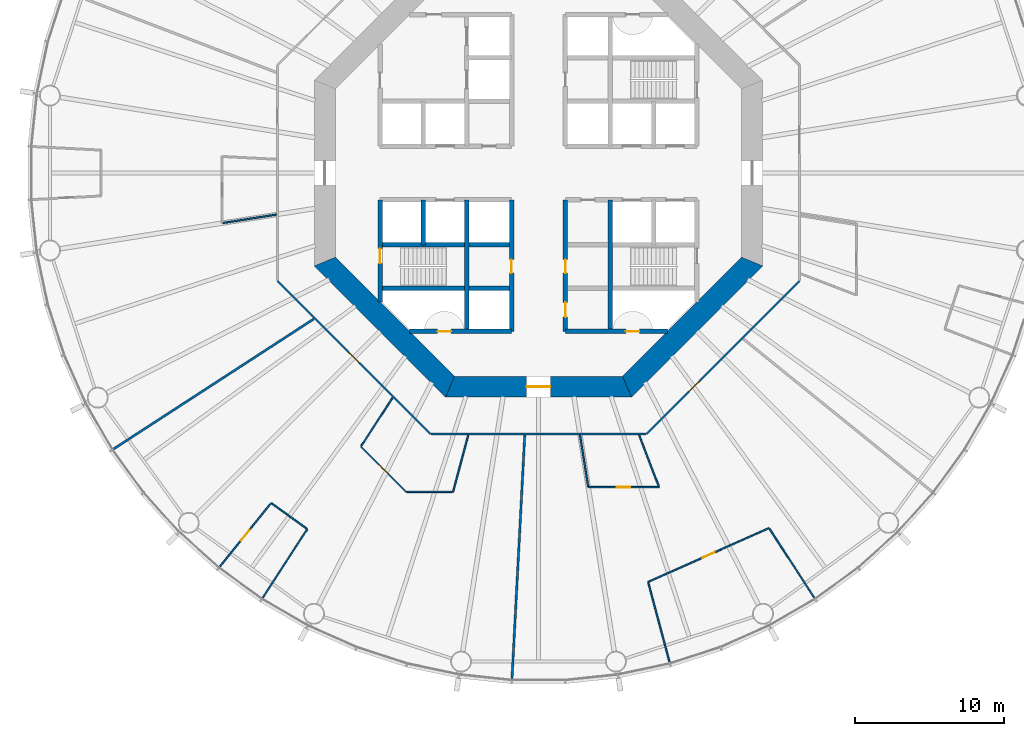
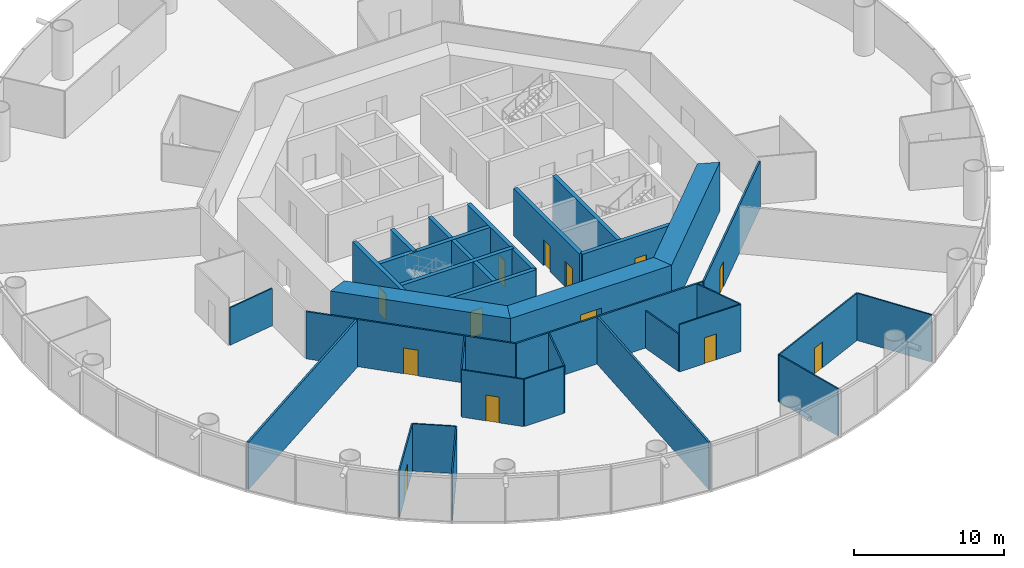
# One storey, part 3 of 13: 32 walls, 13 doors, 13 openings.
"""IFC4 building model written with IfcOpenShell, lengths in metres."""

import ifcopenshell
import ifcopenshell.guid

model = None  # the IFC model being written
_history = None  # IfcOwnerHistory: only IFC2X3 demands one
_inside = {}  # id of a spatial element -> (the spatial element, [elements in it])
_under = {}  # id of a project, library or spatial element -> (it, [spatial elements below it])
_declared = {}  # id of a project -> (the project, [libraries it declares])
_typed = {}  # id of a type object -> (the type object, [elements of that type])
_made_of = {}  # id of a material, layer set ... -> (it, [elements and type objects made of it])


def new_model(schema):
    """Start an empty IFC model of exactly this schema.

    Asked for "IFC4X3", IfcOpenShell would pick the latest addendum, in which some entities
    have other attributes; the version numbers below select the first issue.
    IFC2X3 requires an IfcOwnerHistory on every rooted entity: one is made here for all.
    """
    global model, _history
    if schema == "IFC4X3":
        model = ifcopenshell.file(schema_version=(4, 3, 0, 0))
    else:
        model = ifcopenshell.file(schema=schema)
    _inside.clear()
    _under.clear()
    _declared.clear()
    _typed.clear()
    _made_of.clear()
    _history = None
    if model.schema == "IFC2X3":
        org = make("IfcOrganization", Name="unknown")
        user = make(
            "IfcPersonAndOrganization",
            ThePerson=make("IfcPerson", FamilyName="unknown"),
            TheOrganization=org,
        )
        app = make(
            "IfcApplication",
            ApplicationDeveloper=org,
            Version="unknown",
            ApplicationFullName="unknown",
            ApplicationIdentifier="unknown",
        )
        _history = make(
            "IfcOwnerHistory",
            OwningUser=user,
            OwningApplication=app,
            ChangeAction="ADDED",
            CreationDate=0,
        )
    return model


def make(cls, **values):
    """One entity of the class cls with the attributes given. An attribute that is None is left unset."""
    return model.create_entity(
        cls, **{name: value for name, value in values.items() if value is not None}
    )


def rooted(cls, **values):
    """An entity with a GlobalId (a new one), such as an element, a storey or a relation."""
    return make(cls, GlobalId=ifcopenshell.guid.new(), OwnerHistory=_history, **values)


def si_unit(unit_type, name, prefix=None):
    """IfcSIUnit, for example si_unit("LENGTHUNIT", "METRE", prefix="MILLI")."""
    return make("IfcSIUnit", UnitType=unit_type, Prefix=prefix, Name=name)


def assignment(units):
    """IfcUnitAssignment: the units of a project."""
    return None if units is None else make("IfcUnitAssignment", Units=units)


def point(xyz):
    """IfcCartesianPoint."""
    return None if xyz is None else make("IfcCartesianPoint", Coordinates=xyz)


def direction(xyz):
    """IfcDirection."""
    return None if xyz is None else make("IfcDirection", DirectionRatios=xyz)


def frame(location, z_axis=None, x_axis=None):
    """IfcAxis2Placement3D, a coordinate frame: its origin and axes. An axis left out is left unset."""
    return make(
        "IfcAxis2Placement3D",
        Location=point(location),
        Axis=direction(z_axis),
        RefDirection=direction(x_axis),
    )


def frame_2d(location, x_axis=None):
    """IfcAxis2Placement2D, a coordinate frame in the plane: its origin and x axis."""
    return make(
        "IfcAxis2Placement2D", Location=point(location), RefDirection=direction(x_axis)
    )


def origin():
    """The frame at (0, 0, 0) with its axes left unset."""
    return frame((0.0, 0.0, 0.0))


def place(relative_to, where):
    """IfcLocalPlacement: puts the frame where relative to a parent placement (None: the world)."""
    return make(
        "IfcLocalPlacement", PlacementRelTo=relative_to, RelativePlacement=where
    )


def context(
    kind, dimensions, precision=None, world=None, true_north=None, identifier=None
):
    """IfcGeometricRepresentationContext, for example the 3D "Model" context."""
    return make(
        "IfcGeometricRepresentationContext",
        ContextIdentifier=identifier,
        ContextType=kind,
        CoordinateSpaceDimension=dimensions,
        Precision=precision,
        WorldCoordinateSystem=world,
        TrueNorth=true_north,
    )


def subcontext(parent, identifier, kind, view, scale=None):
    """IfcGeometricRepresentationSubContext, for example "Body" below "Model"."""
    return make(
        "IfcGeometricRepresentationSubContext",
        ContextIdentifier=identifier,
        ContextType=kind,
        ParentContext=parent,
        TargetScale=scale,
        TargetView=view,
    )


def project(units=None, contexts=None):
    """IfcProject with its units and contexts."""
    return rooted(
        "IfcProject",
        Name="project",
        RepresentationContexts=contexts,
        UnitsInContext=assignment(units),
    )


def spatial(cls, under=None, at=None, **own):
    """A site, building, storey or space (cls), placed at a placement, below another one or the project."""
    s = rooted(cls, ObjectPlacement=at, **own)
    if under is not None:
        _under.setdefault(under.id(), (under, []))[1].append(s)
    return s


def polyline(points):
    """IfcPolyline through the points."""
    return make("IfcPolyline", Points=[point(p) for p in points])


def profile(cls, at=None, kind="AREA", **sizes):
    """A parametric profile (cls). Its sizes go by their IFC names, for example OverallWidth=200.0."""
    return make(cls, ProfileType=kind, Position=at, **sizes)


def rectangle(**sizes):
    """IfcRectangleProfileDef."""
    return profile("IfcRectangleProfileDef", **sizes)


def outline(outer, holes=None, kind="AREA"):
    """IfcArbitraryClosedProfileDef: a profile drawn as a closed curve; with holes, ...WithVoids."""
    if holes is None:
        return make("IfcArbitraryClosedProfileDef", ProfileType=kind, OuterCurve=outer)
    return make(
        "IfcArbitraryProfileDefWithVoids",
        ProfileType=kind,
        OuterCurve=outer,
        InnerCurves=holes,
    )


def extrude(swept, where, along, depth):
    """IfcExtrudedAreaSolid: the profile swept, set in the frame where, extruded along a direction by depth."""
    return make(
        "IfcExtrudedAreaSolid",
        SweptArea=swept,
        Position=where,
        ExtrudedDirection=direction(along),
        Depth=depth,
    )


def shape(context_of_items, identifier, shape_type, items):
    """IfcShapeRepresentation: the items that make up one representation, for example the "Body"."""
    return make(
        "IfcShapeRepresentation",
        ContextOfItems=context_of_items,
        RepresentationIdentifier=identifier,
        RepresentationType=shape_type,
        Items=items,
    )


def material(Name=None, Category=None):
    """IfcMaterial."""
    return make("IfcMaterial", Name=Name, Category=Category)


def layer(
    of_material, thickness, ventilated=None, Name=None, Category=None, Priority=None
):
    """IfcMaterialLayer: one layer of a wall or slab, of a material (None: an air gap)."""
    return make(
        "IfcMaterialLayer",
        Material=of_material,
        LayerThickness=thickness,
        IsVentilated=ventilated,
        Name=Name,
        Category=Category,
        Priority=Priority,
    )


def layer_set(layers, Name=None):
    """IfcMaterialLayerSet."""
    return make("IfcMaterialLayerSet", MaterialLayers=layers, LayerSetName=Name)


def made_of(thing, what):
    """Note that an element or type object is made of a material, layer set ...; save() writes the relation."""
    if what is not None:
        _made_of.setdefault(what.id(), (what, []))[1].append(thing)
    return thing


def type_object(cls, material=None, **own):
    """A type object (cls), such as IfcWallType, which elements share."""
    return made_of(rooted(cls, **own), material)


def element(
    cls,
    number,
    at=None,
    inside=None,
    cuts=None,
    type_object=None,
    material=None,
    context=None,
    identifier="Body",
    shape_type=None,
    held_by="IfcProductDefinitionShape",
    body=None,
    shapes=None,
    **own,
):
    """One element of the class cls, such as IfcWall. Its Tag is "e" and its number.

    at: its placement. inside: the storey or other place that contains it. cuts: it is an
    opening in that element (IfcRelVoidsElement). A single representation is given by context,
    identifier, shape_type and body (its items); several are given by shapes. held_by: the class
    of the entity that holds the representations. save() writes the other relations.
    """
    e = rooted(cls, Tag="e%d" % number, ObjectPlacement=at, **own)
    if body is not None:
        shapes = [shape(context, identifier, shape_type, body)]
    if shapes is not None:
        e.Representation = make(held_by, Representations=shapes)
    if inside is not None:
        _inside.setdefault(inside.id(), (inside, []))[1].append(e)
    if cuts is not None:
        rooted(
            "IfcRelVoidsElement", RelatingBuildingElement=cuts, RelatedOpeningElement=e
        )
    if type_object is not None:
        _typed.setdefault(type_object.id(), (type_object, []))[1].append(e)
    return made_of(e, material)


def fill(opening, filler):
    """IfcRelFillsElement: the door or window that sits in an opening."""
    return rooted(
        "IfcRelFillsElement",
        RelatingOpeningElement=opening,
        RelatedBuildingElement=filler,
    )


def aggregate(whole, parts):
    """IfcRelAggregates: a whole, such as a stair, and the parts it consists of."""
    return rooted("IfcRelAggregates", RelatingObject=whole, RelatedObjects=parts)


def save(model, path):
    """Write the relations noted so far, then the file.

    IfcRelAggregates (storeys below a building ...), IfcRelContainedInSpatialStructure (elements
    in a storey), IfcRelDefinesByType, IfcRelAssociatesMaterial and IfcRelDeclares: one each for
    every whole, place, type object, material and project.
    """
    for whole, parts in _under.values():
        aggregate(whole, parts)
    for where, things in _inside.values():
        rooted(
            "IfcRelContainedInSpatialStructure",
            RelatedElements=things,
            RelatingStructure=where,
        )
    for kind, things in _typed.values():
        rooted("IfcRelDefinesByType", RelatedObjects=things, RelatingType=kind)
    for what, things in _made_of.values():
        rooted("IfcRelAssociatesMaterial", RelatedObjects=things, RelatingMaterial=what)
    for by, libraries in _declared.values():
        rooted("IfcRelDeclares", RelatingContext=by, RelatedDefinitions=libraries)
    model.write(path)


model = new_model("IFC4")

# Units and contexts
model_context = context("Model", 3, precision=1e-05, world=origin(), true_north=direction((0.0, 1.0)))
body_context = subcontext(model_context, "Body", "Model", "MODEL_VIEW")
ifc_project = project(units=[si_unit("LENGTHUNIT", "METRE"), si_unit("AREAUNIT", "SQUARE_METRE"), si_unit("VOLUMEUNIT", "CUBIC_METRE"), si_unit("PLANEANGLEUNIT", "RADIAN"), si_unit("MASSUNIT", "GRAM", prefix="KILO")], contexts=[model_context])

# Site, building, storey
site_placement = place(None, origin())
site = spatial("IfcSite", under=ifc_project, at=site_placement, CompositionType="ELEMENT")
building_placement = place(site_placement, origin())
building = spatial("IfcBuilding", under=site, at=building_placement, Name="Entoto Ring Tower", CompositionType="ELEMENT")
storey_placement = place(building_placement, frame((0.0, 0.0, 34.0)))
storey = spatial("IfcBuildingStorey", under=building, at=storey_placement, Name="L06", CompositionType="ELEMENT", Elevation=34.0)

# Wall
ifc_material_1 = material(Name="Concrete C40/50", Category="concrete")
ifc_layer_1 = layer(ifc_material_1, 0.300048828125)
ifc_layer_set_1 = layer_set([ifc_layer_1], Name="Concrete C40/50")
wall_type_1 = type_object("IfcWallType", Name="Core enclosure wall 300 mm reinforced concrete", PredefinedType="SOLIDWALL", material=ifc_layer_set_1)
wall_1_placement = place(storey_placement, frame((94.800048828125, 69.39990234375, 0.0), z_axis=(0.0, 0.0, 1.0), x_axis=(0.0, 1.0, 0.0)))
element("IfcWall", 1, at=wall_1_placement, inside=storey, type_object=wall_type_1, Name="wall-L06-005", PredefinedType="SOLIDWALL", context=body_context, shape_type="SweptSolid", body=[
    extrude(rectangle(XDim=8.800048828125, YDim=0.300048828125, at=frame_2d((4.39990234375, 0.0))), origin(), (0.0, 0.0, 1.0), 3.85009765625),
])

# Wall, openings, doors
wall_2_placement = place(storey_placement, frame((91.800048828125, 69.39990234375, 0.0), z_axis=(0.0, 0.0, 1.0), x_axis=(0.0, 1.0, 0.0)))
wall_2 = element("IfcWall", 2, at=wall_2_placement, inside=storey, type_object=wall_type_1, Name="wall-L06-007", PredefinedType="SOLIDWALL", context=body_context, shape_type="SweptSolid", body=[
    extrude(rectangle(XDim=8.800048828125, YDim=0.300048828125, at=frame_2d((4.39990234375, 0.0))), origin(), (0.0, 0.0, 1.0), 3.85009765625),
])
opening_1_placement = place(wall_2_placement, frame((3.89990234375, 0.0, 0.0)))
opening_1 = element("IfcOpeningElement", 3, at=opening_1_placement, cuts=wall_2, Name="Opening K-12", PredefinedType="OPENING", context=body_context, shape_type="SweptSolid", body=[
    extrude(rectangle(XDim=0.89990234375, YDim=2.10009765625, at=frame_2d((0.449951171875, 1.050048828125))), frame((0.0, 0.16015625, 0.0), z_axis=(0.0, -1.0, 0.0), x_axis=(1.0, 0.0, 0.0)), (0.0, 0.0, 1.0), 0.320068359375),
])
opening_2_placement = place(wall_2_placement, frame((0.949951171875, 0.0, 0.0)))
opening_2 = element("IfcOpeningElement", 4, at=opening_2_placement, cuts=wall_2, Name="Opening K-13", PredefinedType="OPENING", context=body_context, shape_type="SweptSolid", body=[
    extrude(rectangle(XDim=1.0, YDim=2.10009765625, at=frame_2d((0.5, 1.050048828125))), frame((0.0, 0.16015625, 0.0), z_axis=(0.0, -1.0, 0.0), x_axis=(1.0, 0.0, 0.0)), (0.0, 0.0, 1.0), 0.320068359375),
])
ifc_material_2 = material(Name="Steel door leaf, fire rated", Category="steel")
ifc_layer_2 = layer(ifc_material_2, 0.050048828125)
ifc_layer_set_2 = layer_set([ifc_layer_2], Name="Steel door leaf, fire rated")
door_type_1 = type_object("IfcDoorType", Name="Accessible door 1000 x 2100 single leaf", OperationType="NOTDEFINED", PredefinedType="DOOR", material=ifc_layer_set_2)
door_1_placement = place(opening_2_placement, frame((1.0, 0.0, 0.0), z_axis=(0.0, 0.0, 1.0), x_axis=(-1.0, 0.0, 0.0)))
door_1 = element("IfcDoor", 5, at=door_1_placement, inside=storey, type_object=door_type_1, Name="Door K-13", OperationType="SINGLE_SWING_LEFT", OverallHeight=2.10009765625, OverallWidth=1.0, PredefinedType="DOOR", context=body_context, shape_type="SweptSolid", body=[
    extrude(rectangle(XDim=1.0, YDim=2.10009765625, at=frame_2d((0.5, 1.050048828125))), frame((0.0, 0.02490234375, 0.0), z_axis=(0.0, -1.0, 0.0), x_axis=(1.0, 0.0, 0.0)), (0.0, 0.0, 1.0), 0.050048828125),
])
fill(opening_2, door_1)
ifc_material_3 = material(Name="Steel door leaf, fire rated", Category="steel")
ifc_layer_3 = layer(ifc_material_3, 0.050048828125)
ifc_layer_set_3 = layer_set([ifc_layer_3], Name="Steel door leaf, fire rated")
door_type_2 = type_object("IfcDoorType", Name="Core door 900 x 2100 single leaf", OperationType="NOTDEFINED", PredefinedType="DOOR", material=ifc_layer_set_3)
door_2_placement = place(opening_1_placement, frame((0.89990234375, 0.0, 0.0), z_axis=(0.0, 0.0, 1.0), x_axis=(-1.0, 0.0, 0.0)))
door_2 = element("IfcDoor", 6, at=door_2_placement, inside=storey, type_object=door_type_2, Name="Door K-12", OperationType="SINGLE_SWING_LEFT", OverallHeight=2.10009765625, OverallWidth=0.89990234375, PredefinedType="DOOR", context=body_context, shape_type="SweptSolid", body=[
    extrude(rectangle(XDim=0.89990234375, YDim=2.10009765625, at=frame_2d((0.449951171875, 1.050048828125))), frame((0.0, 0.02490234375, 0.0), z_axis=(0.0, -1.0, 0.0), x_axis=(1.0, 0.0, 0.0)), (0.0, 0.0, 1.0), 0.050048828125),
])
fill(opening_1, door_2)

# Wall, opening, door
wall_3_placement = place(storey_placement, frame((88.199951171875, 69.39990234375, 0.0), z_axis=(0.0, 0.0, 1.0), x_axis=(0.0, 1.0, 0.0)))
wall_3 = element("IfcWall", 7, at=wall_3_placement, inside=storey, type_object=wall_type_1, Name="wall-L06-009", PredefinedType="SOLIDWALL", context=body_context, shape_type="SweptSolid", body=[
    extrude(rectangle(XDim=8.800048828125, YDim=0.300048828125, at=frame_2d((4.39990234375, 0.0))), origin(), (0.0, 0.0, 1.0), 3.85009765625),
])
opening_3_placement = place(wall_3_placement, frame((3.89990234375, 0.0, 0.0)))
opening_3 = element("IfcOpeningElement", 8, at=opening_3_placement, cuts=wall_3, Name="Opening K-14", PredefinedType="OPENING", context=body_context, shape_type="SweptSolid", body=[
    extrude(rectangle(XDim=0.89990234375, YDim=2.10009765625, at=frame_2d((0.449951171875, 1.050048828125))), frame((0.0, 0.16015625, 0.0), z_axis=(0.0, -1.0, 0.0), x_axis=(1.0, 0.0, 0.0)), (0.0, 0.0, 1.0), 0.320068359375),
])
door_3_placement = place(opening_3_placement, origin())
door_3 = element("IfcDoor", 9, at=door_3_placement, inside=storey, type_object=door_type_2, Name="Door K-14", OperationType="SINGLE_SWING_RIGHT", OverallHeight=2.10009765625, OverallWidth=0.89990234375, PredefinedType="DOOR", context=body_context, shape_type="SweptSolid", body=[
    extrude(rectangle(XDim=0.89990234375, YDim=2.10009765625, at=frame_2d((0.449951171875, 1.050048828125))), frame((0.0, 0.02490234375, 0.0), z_axis=(0.0, -1.0, 0.0), x_axis=(1.0, 0.0, 0.0)), (0.0, 0.0, 1.0), 0.050048828125),
])
fill(opening_3, door_3)

# Walls
wall_4_placement = place(storey_placement, frame((85.199951171875, 69.39990234375, 0.0), z_axis=(0.0, 0.0, 1.0), x_axis=(0.0, 1.0, 0.0)))
element("IfcWall", 10, at=wall_4_placement, inside=storey, type_object=wall_type_1, Name="wall-L06-011", PredefinedType="SOLIDWALL", context=body_context, shape_type="SweptSolid", body=[
    extrude(rectangle(XDim=8.800048828125, YDim=0.300048828125, at=frame_2d((4.39990234375, 0.0))), origin(), (0.0, 0.0, 1.0), 3.85009765625),
])
wall_5_placement = place(storey_placement, frame((82.300048828125, 75.199951171875, 0.0), z_axis=(0.0, 0.0, 1.0), x_axis=(0.0, 1.0, 0.0)))
element("IfcWall", 11, at=wall_5_placement, inside=storey, type_object=wall_type_1, Name="wall-L06-013", PredefinedType="SOLIDWALL", context=body_context, shape_type="SweptSolid", body=[
    extrude(rectangle(XDim=3.0, YDim=0.300048828125, at=frame_2d((1.5, 0.0))), origin(), (0.0, 0.0, 1.0), 3.85009765625),
])

# Wall, opening, door
wall_6_placement = place(storey_placement, frame((79.39990234375, 71.36669921875, 0.0), z_axis=(0.0, 0.0, 1.0), x_axis=(0.0, 1.0, 0.0)))
wall_6 = element("IfcWall", 12, at=wall_6_placement, inside=storey, type_object=wall_type_1, Name="wall-L06-015", PredefinedType="SOLIDWALL", context=body_context, shape_type="SweptSolid", body=[
    extrude(rectangle(XDim=6.833251953125, YDim=0.300048828125, at=frame_2d((3.41650390625, 0.0))), origin(), (0.0, 0.0, 1.0), 3.85009765625),
])
opening_4_placement = place(wall_6_placement, frame((2.583251953125, 0.0, 0.0)))
opening_4 = element("IfcOpeningElement", 13, at=opening_4_placement, cuts=wall_6, Name="Opening K-59", PredefinedType="OPENING", context=body_context, shape_type="SweptSolid", body=[
    extrude(rectangle(XDim=1.0, YDim=2.10009765625, at=frame_2d((0.5, 1.050048828125))), frame((0.0, 0.16015625, 0.0), z_axis=(0.0, -1.0, 0.0), x_axis=(1.0, 0.0, 0.0)), (0.0, 0.0, 1.0), 0.320068359375),
])
ifc_material_4 = material(Name="Steel door leaf, fire rated", Category="steel")
ifc_layer_4 = layer(ifc_material_4, 0.050048828125)
ifc_layer_set_4 = layer_set([ifc_layer_4], Name="Steel door leaf, fire rated")
door_type_3 = type_object("IfcDoorType", Name="Fire door FD60 1000 x 2100 single leaf", OperationType="NOTDEFINED", PredefinedType="DOOR", material=ifc_layer_set_4)
door_4_placement = place(opening_4_placement, frame((1.0, 0.0, 0.0), z_axis=(0.0, 0.0, 1.0), x_axis=(-1.0, 0.0, 0.0)))
door_4 = element("IfcDoor", 14, at=door_4_placement, inside=storey, type_object=door_type_3, Name="Door K-59", OperationType="SINGLE_SWING_LEFT", OverallHeight=2.10009765625, OverallWidth=1.0, PredefinedType="DOOR", context=body_context, shape_type="SweptSolid", body=[
    extrude(rectangle(XDim=1.0, YDim=2.10009765625, at=frame_2d((0.5, 1.050048828125))), frame((0.0, 0.02490234375, 0.0), z_axis=(0.0, -1.0, 0.0), x_axis=(1.0, 0.0, 0.0)), (0.0, 0.0, 1.0), 0.050048828125),
])
fill(opening_4, door_4)

wall_7_placement = place(storey_placement, frame((81.36669921875, 69.39990234375, 0.0), z_axis=(0.0, 0.0, 1.0), x_axis=(1.0, 0.0, 0.0)))
wall_7 = element("IfcWall", 15, at=wall_7_placement, inside=storey, type_object=wall_type_1, Name="wall-L06-017", PredefinedType="SOLIDWALL", context=body_context, shape_type="SweptSolid", body=[
    extrude(rectangle(XDim=6.833251953125, YDim=0.300048828125, at=frame_2d((3.41650390625, 0.0))), origin(), (0.0, 0.0, 1.0), 3.85009765625),
])
opening_5_placement = place(wall_7_placement, frame((1.88330078125, 0.0, 0.0)))
opening_5 = element("IfcOpeningElement", 16, at=opening_5_placement, cuts=wall_7, Name="Opening K-66", PredefinedType="OPENING", context=body_context, shape_type="SweptSolid", body=[
    extrude(rectangle(XDim=0.89990234375, YDim=2.10009765625, at=frame_2d((0.449951171875, 1.050048828125))), frame((0.0, 0.16015625, 0.0), z_axis=(0.0, -1.0, 0.0), x_axis=(1.0, 0.0, 0.0)), (0.0, 0.0, 1.0), 0.320068359375),
])
ifc_material_5 = material(Name="Steel door leaf, fire rated", Category="steel")
ifc_layer_5 = layer(ifc_material_5, 0.050048828125)
ifc_layer_set_5 = layer_set([ifc_layer_5], Name="Steel door leaf, fire rated")
door_type_4 = type_object("IfcDoorType", Name="Riser door FD60 900 x 2100 single leaf", OperationType="NOTDEFINED", PredefinedType="DOOR", material=ifc_layer_set_5)
door_5_placement = place(opening_5_placement, origin())
door_5 = element("IfcDoor", 17, at=door_5_placement, inside=storey, type_object=door_type_4, Name="Door K-66", OperationType="SINGLE_SWING_RIGHT", OverallHeight=2.10009765625, OverallWidth=0.89990234375, PredefinedType="DOOR", context=body_context, shape_type="SweptSolid", body=[
    extrude(rectangle(XDim=0.89990234375, YDim=2.10009765625, at=frame_2d((0.449951171875, 1.050048828125))), frame((0.0, 0.02490234375, 0.0), z_axis=(0.0, -1.0, 0.0), x_axis=(1.0, 0.0, 0.0)), (0.0, 0.0, 1.0), 0.050048828125),
])
fill(opening_5, door_5)

wall_8_placement = place(storey_placement, frame((91.800048828125, 69.39990234375, 0.0), z_axis=(0.0, 0.0, 1.0), x_axis=(1.0, 0.0, 0.0)))
wall_8 = element("IfcWall", 18, at=wall_8_placement, inside=storey, type_object=wall_type_1, Name="wall-L06-018", PredefinedType="SOLIDWALL", context=body_context, shape_type="SweptSolid", body=[
    extrude(rectangle(XDim=6.833251953125, YDim=0.300048828125, at=frame_2d((3.41650390625, 0.0))), origin(), (0.0, 0.0, 1.0), 3.85009765625),
])
opening_6_placement = place(wall_8_placement, frame((4.050048828125, 0.0, 0.0)))
opening_6 = element("IfcOpeningElement", 19, at=opening_6_placement, cuts=wall_8, Name="Opening K-68", PredefinedType="OPENING", context=body_context, shape_type="SweptSolid", body=[
    extrude(rectangle(XDim=0.89990234375, YDim=2.10009765625, at=frame_2d((0.449951171875, 1.050048828125))), frame((0.0, 0.16015625, 0.0), z_axis=(0.0, -1.0, 0.0), x_axis=(1.0, 0.0, 0.0)), (0.0, 0.0, 1.0), 0.320068359375),
])
door_6_placement = place(opening_6_placement, origin())
door_6 = element("IfcDoor", 20, at=door_6_placement, inside=storey, type_object=door_type_4, Name="Door K-68", OperationType="SINGLE_SWING_LEFT", OverallHeight=2.10009765625, OverallWidth=0.89990234375, PredefinedType="DOOR", context=body_context, shape_type="SweptSolid", body=[
    extrude(rectangle(XDim=0.89990234375, YDim=2.10009765625, at=frame_2d((0.449951171875, 1.050048828125))), frame((0.0, 0.02490234375, 0.0), z_axis=(0.0, -1.0, 0.0), x_axis=(1.0, 0.0, 0.0)), (0.0, 0.0, 1.0), 0.050048828125),
])
fill(opening_6, door_6)

# Walls
for number, where, z_axis, x_axis, name in (
    (21, (79.39990234375, 72.300048828125, 0.0), (0.0, 0.0, 1.0), (1.0, 0.0, 0.0), "wall-L06-019"),
    (22, (79.39990234375, 75.199951171875, 0.0), (0.0, 0.0, 1.0), (1.0, 0.0, 0.0), "wall-L06-021"),
):
    element("IfcWall", number, at=place(storey_placement, frame(where, z_axis=z_axis, x_axis=x_axis)), inside=storey, type_object=wall_type_1, Name=name, PredefinedType="SOLIDWALL", context=body_context, shape_type="SweptSolid", body=[
        extrude(rectangle(XDim=8.800048828125, YDim=0.300048828125, at=frame_2d((4.39990234375, 0.0))), origin(), (0.0, 0.0, 1.0), 3.85009765625),
    ])
ifc_material_6 = material(Name="Concrete C60/75", Category="concrete")
ifc_layer_6 = layer(ifc_material_6, 1.39990234375)
ifc_layer_set_6 = layer_set([ifc_layer_6], Name="Concrete C60/75")
wall_type_2 = type_object("IfcWallType", Name="Core shear wall 1400 mm reinforced concrete C60/75", PredefinedType="SHEAR", material=ifc_layer_set_6)
wall_9_placement = place(storey_placement, frame((75.699951171875, 74.07666015625, 0.0), z_axis=(0.0, 0.0, 1.0), x_axis=(0.707106781187, -0.707106781187, 0.0)))
element("IfcWall", 23, at=wall_9_placement, inside=storey, type_object=wall_type_2, Name="wall-L06-core-5", PredefinedType="SHEAR", context=body_context, shape_type="SweptSolid", body=[
    extrude(outline(polyline([(-0.2900390625, -0.699951171875), (12.136474609375, -0.699951171875), (11.556396484375, 0.699951171875), (0.2900390625, 0.699951171875), (-0.2900390625, -0.699951171875)])), origin(), (0.0, 0.0, 1.0), 4.0),
])

# Wall, opening, door
wall_10_placement = place(storey_placement, frame((84.07666015625, 65.699951171875, 0.0), z_axis=(0.0, 0.0, 1.0), x_axis=(1.0, 0.0, 0.0)))
wall_10 = element("IfcWall", 24, at=wall_10_placement, inside=storey, type_object=wall_type_2, Name="wall-L06-core-6", PredefinedType="SHEAR", context=body_context, shape_type="SweptSolid", body=[
    extrude(outline(polyline([(-0.2900390625, -0.699951171875), (12.13671875, -0.699951171875), (11.556640625, 0.699951171875), (0.2900390625, 0.699951171875), (-0.2900390625, -0.699951171875)])), origin(), (0.0, 0.0, 1.0), 4.0),
])
opening_7_placement = place(wall_10_placement, frame((5.123291015625, 0.0, 0.0)))
opening_7 = element("IfcOpeningElement", 25, at=opening_7_placement, cuts=wall_10, Name="Opening K-04", PredefinedType="OPENING", context=body_context, shape_type="SweptSolid", body=[
    extrude(rectangle(XDim=1.60009765625, YDim=2.39990234375, at=frame_2d((0.800048828125, 1.199951171875))), frame((0.0, 0.7099609375, 0.0), z_axis=(0.0, -1.0, 0.0), x_axis=(1.0, 0.0, 0.0)), (0.0, 0.0, 1.0), 1.419921875),
])
ifc_material_7 = material(Name="Steel door leaf, fire rated", Category="steel")
ifc_layer_7 = layer(ifc_material_7, 0.050048828125)
ifc_layer_set_7 = layer_set([ifc_layer_7], Name="Steel door leaf, fire rated")
door_type_5 = type_object("IfcDoorType", Name="Entrance door FD60 1600 x 2400 double leaf", OperationType="DOUBLE_DOOR_SINGLE_SWING", PredefinedType="DOOR", material=ifc_layer_set_7)
door_7_placement = place(opening_7_placement, origin())
door_7 = element("IfcDoor", 26, at=door_7_placement, inside=storey, type_object=door_type_5, Name="Entrance door K-04", OperationType="DOUBLE_DOOR_SINGLE_SWING", OverallHeight=2.39990234375, OverallWidth=1.60009765625, PredefinedType="DOOR", context=body_context, shape_type="SweptSolid", body=[
    extrude(rectangle(XDim=1.60009765625, YDim=2.39990234375, at=frame_2d((0.800048828125, 1.199951171875))), frame((0.0, 0.02490234375, 0.0), z_axis=(0.0, -1.0, 0.0), x_axis=(1.0, 0.0, 0.0)), (0.0, 0.0, 1.0), 0.050048828125),
])
fill(opening_7, door_7)

# Wall
wall_11_placement = place(storey_placement, frame((95.92333984375, 65.699951171875, 0.0), z_axis=(0.0, 0.0, 1.0), x_axis=(0.707106781187, 0.707106781187, 0.0)))
element("IfcWall", 27, at=wall_11_placement, inside=storey, type_object=wall_type_2, Name="wall-L06-core-7", PredefinedType="SHEAR", context=body_context, shape_type="SweptSolid", body=[
    extrude(outline(polyline([(-0.2900390625, -0.699951171875), (12.136474609375, -0.699951171875), (11.556396484375, 0.699951171875), (0.2900390625, 0.699951171875), (-0.2900390625, -0.699951171875)])), origin(), (0.0, 0.0, 1.0), 4.0),
])

# Wall, opening, door
ifc_material_8 = material(Name="Fire-resisting plasterboard on steel studs", Category="steel")
ifc_layer_8 = layer(ifc_material_8, 0.125)
ifc_layer_set_8 = layer_set([ifc_layer_8], Name="Fire-resisting plasterboard on steel studs")
wall_type_3 = type_object("IfcWallType", Name="Corridor wall 125 mm one-hour plasterboard on steel studs", PredefinedType="PARTITIONING", material=ifc_layer_set_8)
wall_12_placement = place(storey_placement, frame((82.766845703125, 62.53759765625, 0.0), z_axis=(0.0, 0.0, 1.0), x_axis=(-0.707106781187, 0.707106781187, 0.0)))
wall_12 = element("IfcWall", 28, at=wall_12_placement, inside=storey, type_object=wall_type_3, Name="partition-L06-002", PredefinedType="PARTITIONING", context=body_context, shape_type="SweptSolid", body=[
    extrude(rectangle(XDim=14.46630859375, YDim=0.125, at=frame_2d((7.233154296875, 0.0))), origin(), (0.0, 0.0, 1.0), 3.85009765625),
])
opening_8_placement = place(wall_12_placement, frame((6.733154296875, 0.0, 0.0)))
opening_8 = element("IfcOpeningElement", 29, at=opening_8_placement, cuts=wall_12, Name="Opening A03-D01", PredefinedType="OPENING", context=body_context, shape_type="SweptSolid", body=[
    extrude(rectangle(XDim=1.0, YDim=2.10009765625, at=frame_2d((0.5, 1.050048828125))), frame((0.0, 0.072509765625, 0.0), z_axis=(0.0, -1.0, 0.0), x_axis=(1.0, 0.0, 0.0)), (0.0, 0.0, 1.0), 0.14501953125),
])
ifc_material_9 = material(Name="Fire-resisting timber door set", Category="wood")
door_type_6 = type_object("IfcDoorType", Name="Door 1000 x 2100 single leaf FD30S fire door", OperationType="NOTDEFINED", PredefinedType="DOOR", material=ifc_material_9)
door_8_placement = place(opening_8_placement, origin())
door_8 = element("IfcDoor", 30, at=door_8_placement, inside=storey, type_object=door_type_6, Name="Door A03-D01", OperationType="SINGLE_SWING_LEFT", OverallHeight=2.10009765625, OverallWidth=1.0, PredefinedType="DOOR", context=body_context, shape_type="SweptSolid", body=[
    extrude(rectangle(XDim=1.0, YDim=2.10009765625, at=frame_2d((0.5, 1.050048828125))), frame((0.0, 0.02490234375, 0.0), z_axis=(0.0, -1.0, 0.0), x_axis=(1.0, 0.0, 0.0)), (0.0, 0.0, 1.0), 0.050048828125),
])
fill(opening_8, door_8)

wall_13_placement = place(storey_placement, frame((97.233154296875, 62.53759765625, 0.0), z_axis=(0.0, 0.0, 1.0), x_axis=(0.707106781187, 0.707106781187, 0.0)))
wall_13 = element("IfcWall", 31, at=wall_13_placement, inside=storey, type_object=wall_type_3, Name="partition-L06-003", PredefinedType="PARTITIONING", context=body_context, shape_type="SweptSolid", body=[
    extrude(rectangle(XDim=14.46630859375, YDim=0.125, at=frame_2d((7.233154296875, 0.0))), origin(), (0.0, 0.0, 1.0), 3.85009765625),
])
opening_9_placement = place(wall_13_placement, frame((4.0341796875, 0.0, 0.0)))
opening_9 = element("IfcOpeningElement", 32, at=opening_9_placement, cuts=wall_13, Name="Opening A03-D04", PredefinedType="OPENING", context=body_context, shape_type="SweptSolid", body=[
    extrude(rectangle(XDim=1.0, YDim=2.10009765625, at=frame_2d((0.5, 1.050048828125))), frame((0.0, 0.072509765625, 0.0), z_axis=(0.0, -1.0, 0.0), x_axis=(1.0, 0.0, 0.0)), (0.0, 0.0, 1.0), 0.14501953125),
])
door_9_placement = place(opening_9_placement, frame((1.0, 0.0, 0.0), z_axis=(0.0, 0.0, 1.0), x_axis=(-1.0, 0.0, 0.0)))
door_9 = element("IfcDoor", 33, at=door_9_placement, inside=storey, type_object=door_type_6, Name="Door A03-D04", OperationType="SINGLE_SWING_LEFT", OverallHeight=2.10009765625, OverallWidth=1.0, PredefinedType="DOOR", context=body_context, shape_type="SweptSolid", body=[
    extrude(rectangle(XDim=1.0, YDim=2.10009765625, at=frame_2d((0.5, 1.050048828125))), frame((0.0, 0.02490234375, 0.0), z_axis=(0.0, -1.0, 0.0), x_axis=(1.0, 0.0, 0.0)), (0.0, 0.0, 1.0), 0.050048828125),
])
fill(opening_9, door_9)

# Wall
wall_14_placement = place(storey_placement, frame((82.810791015625, 62.53759765625, 0.0), z_axis=(0.0, 0.0, 1.0), x_axis=(1.0, 0.0, 0.0)))
element("IfcWall", 34, at=wall_14_placement, inside=storey, type_object=wall_type_3, Name="partition-L06-006", PredefinedType="PARTITIONING", context=body_context, shape_type="SweptSolid", body=[
    extrude(rectangle(XDim=14.37841796875, YDim=0.125, at=frame_2d((7.189208984375, 0.0))), origin(), (0.0, 0.0, 1.0), 3.85009765625),
])

# Wall, opening, door
ifc_material_10 = material(Name="Plasterboard on steel studs", Category="steel")
ifc_layer_9 = layer(ifc_material_10, 0.10009765625)
ifc_layer_set_9 = layer_set([ifc_layer_9], Name="Plasterboard on steel studs")
wall_type_4 = type_object("IfcWallType", Name="Partition 100 mm plasterboard on steel studs", PredefinedType="PARTITIONING", material=ifc_layer_set_9)
wall_15_placement = place(storey_placement, frame((97.332275390625, 52.63525390625, 0.0), z_axis=(0.0, 0.0, 1.0), x_axis=(0.9135444322, 0.406738946251, 0.0)))
wall_15 = element("IfcWall", 35, at=wall_15_placement, inside=storey, type_object=wall_type_4, Name="partition-L06-016", PredefinedType="PARTITIONING", context=body_context, shape_type="SweptSolid", body=[
    extrude(rectangle(XDim=8.86376953125, YDim=0.10009765625, at=frame_2d((4.431884765625, 0.0))), origin(), (0.0, 0.0, 1.0), 3.85009765625),
])
opening_10_placement = place(wall_15_placement, frame((3.981689453125, 0.0, 0.0)))
opening_10 = element("IfcOpeningElement", 36, at=opening_10_placement, cuts=wall_15, Name="Opening A03-D06", PredefinedType="OPENING", context=body_context, shape_type="SweptSolid", body=[
    extrude(rectangle(XDim=0.89990234375, YDim=2.10009765625, at=frame_2d((0.449951171875, 1.050048828125))), frame((0.0, 0.06005859375, 0.0), z_axis=(0.0, -1.0, 0.0), x_axis=(1.0, 0.0, 0.0)), (0.0, 0.0, 1.0), 0.1201171875),
])
ifc_material_11 = material(Name="Veneered timber door leaf in timber frame", Category="wood")
door_type_7 = type_object("IfcDoorType", Name="Door 900 x 2100 single leaf timber veneer", OperationType="NOTDEFINED", PredefinedType="DOOR", material=ifc_material_11)
door_10_placement = place(opening_10_placement, frame((0.89990234375, 0.0, 0.0), z_axis=(0.0, 0.0, 1.0), x_axis=(-1.0, 0.0, 0.0)))
door_10 = element("IfcDoor", 37, at=door_10_placement, inside=storey, type_object=door_type_7, Name="Door A03-D06", OperationType="SINGLE_SWING_RIGHT", OverallHeight=2.10009765625, OverallWidth=0.89990234375, PredefinedType="DOOR", context=body_context, shape_type="SweptSolid", body=[
    extrude(rectangle(XDim=0.89990234375, YDim=2.10009765625, at=frame_2d((0.449951171875, 1.050048828125))), frame((0.0, 0.02490234375, 0.0), z_axis=(0.0, -1.0, 0.0), x_axis=(1.0, 0.0, 0.0)), (0.0, 0.0, 1.0), 0.050048828125),
])
fill(opening_10, door_10)

# Walls
wall_16_placement = place(storey_placement, frame((108.485107421875, 51.535400390625, 0.0), z_axis=(0.0, 0.0, 1.0), x_axis=(-0.544619479933, 0.83868326684, 0.0)))
element("IfcWall", 38, at=wall_16_placement, inside=storey, type_object=wall_type_4, Name="partition-L06-021", PredefinedType="PARTITIONING", context=body_context, shape_type="SweptSolid", body=[
    extrude(rectangle(XDim=5.560791015625, YDim=0.10009765625, at=frame_2d((2.7802734375, 0.0))), origin(), (0.0, 0.0, 1.0), 3.85009765625),
])
wall_17_placement = place(storey_placement, frame((98.7841796875, 47.216552734375, 0.0), z_axis=(0.0, 0.0, 1.0), x_axis=(-0.258782904223, 0.965935509484, 0.0)))
element("IfcWall", 39, at=wall_17_placement, inside=storey, type_object=wall_type_4, Name="partition-L06-022", PredefinedType="PARTITIONING", context=body_context, shape_type="SweptSolid", body=[
    extrude(rectangle(XDim=5.560546875, YDim=0.10009765625, at=frame_2d((2.7802734375, 0.0))), origin(), (0.0, 0.0, 1.0), 3.85009765625),
])

# Wall, opening, door
wall_18_placement = place(storey_placement, frame((68.640869140625, 53.623779296875, 0.0), z_axis=(0.0, 0.0, 1.0), x_axis=(0.62933030084, 0.777137936562, 0.0)))
wall_18 = element("IfcWall", 40, at=wall_18_placement, inside=storey, type_object=wall_type_4, Name="partition-L06-023", PredefinedType="PARTITIONING", context=body_context, shape_type="SweptSolid", body=[
    extrude(rectangle(XDim=5.530029296875, YDim=0.10009765625, at=frame_2d((2.76513671875, 0.0))), origin(), (0.0, 0.0, 1.0), 3.85009765625),
])
opening_11_placement = place(wall_18_placement, frame((2.31494140625, 0.0, 0.0)))
opening_11 = element("IfcOpeningElement", 41, at=opening_11_placement, cuts=wall_18, Name="Opening A03-D03", PredefinedType="OPENING", context=body_context, shape_type="SweptSolid", body=[
    extrude(rectangle(XDim=0.89990234375, YDim=2.10009765625, at=frame_2d((0.449951171875, 1.050048828125))), frame((0.0, 0.06005859375, 0.0), z_axis=(0.0, -1.0, 0.0), x_axis=(1.0, 0.0, 0.0)), (0.0, 0.0, 1.0), 0.1201171875),
])
door_11_placement = place(opening_11_placement, frame((0.89990234375, 0.0, 0.0), z_axis=(0.0, 0.0, 1.0), x_axis=(-1.0, 0.0, 0.0)))
door_11 = element("IfcDoor", 42, at=door_11_placement, inside=storey, type_object=door_type_7, Name="Door A03-D03", OperationType="SINGLE_SWING_RIGHT", OverallHeight=2.10009765625, OverallWidth=0.89990234375, PredefinedType="DOOR", context=body_context, shape_type="SweptSolid", body=[
    extrude(rectangle(XDim=0.89990234375, YDim=2.10009765625, at=frame_2d((0.449951171875, 1.050048828125))), frame((0.0, 0.02490234375, 0.0), z_axis=(0.0, -1.0, 0.0), x_axis=(1.0, 0.0, 0.0)), (0.0, 0.0, 1.0), 0.050048828125),
])
fill(opening_11, door_11)

# Wall
wall_19_placement = place(storey_placement, frame((71.514892578125, 51.535400390625, 0.0), z_axis=(0.0, 0.0, 1.0), x_axis=(0.544645368081, 0.83866645517, 0.0)))
element("IfcWall", 43, at=wall_19_placement, inside=storey, type_object=wall_type_4, Name="partition-L06-024", PredefinedType="PARTITIONING", context=body_context, shape_type="SweptSolid", body=[
    extrude(rectangle(XDim=5.530029296875, YDim=0.10009765625, at=frame_2d((2.76513671875, 0.0))), origin(), (0.0, 0.0, 1.0), 3.85009765625),
])

# Wall, opening, door
wall_20_placement = place(storey_placement, frame((93.32958984375, 58.9775390625, 0.0), z_axis=(0.0, 0.0, 1.0), x_axis=(1.0, 0.0, 0.0)))
wall_20 = element("IfcWall", 44, at=wall_20_placement, inside=storey, type_object=wall_type_4, Name="partition-L06-030", PredefinedType="PARTITIONING", context=body_context, shape_type="SweptSolid", body=[
    extrude(rectangle(XDim=4.740234375, YDim=0.10009765625, at=frame_2d((2.3701171875, 0.0))), origin(), (0.0, 0.0, 1.0), 3.85009765625),
])
opening_12_placement = place(wall_20_placement, frame((1.920166015625, 0.0, 0.0)))
opening_12 = element("IfcOpeningElement", 45, at=opening_12_placement, cuts=wall_20, Name="Opening A03-D05", PredefinedType="OPENING", context=body_context, shape_type="SweptSolid", body=[
    extrude(rectangle(XDim=0.89990234375, YDim=2.10009765625, at=frame_2d((0.449951171875, 1.050048828125))), frame((0.0, 0.06005859375, 0.0), z_axis=(0.0, -1.0, 0.0), x_axis=(1.0, 0.0, 0.0)), (0.0, 0.0, 1.0), 0.1201171875),
])
door_12_placement = place(opening_12_placement, origin())
door_12 = element("IfcDoor", 46, at=door_12_placement, inside=storey, type_object=door_type_7, Name="Door A03-D05", OperationType="SINGLE_SWING_RIGHT", OverallHeight=2.10009765625, OverallWidth=0.89990234375, PredefinedType="DOOR", context=body_context, shape_type="SweptSolid", body=[
    extrude(rectangle(XDim=0.89990234375, YDim=2.10009765625, at=frame_2d((0.449951171875, 1.050048828125))), frame((0.0, 0.02490234375, 0.0), z_axis=(0.0, -1.0, 0.0), x_axis=(1.0, 0.0, 0.0)), (0.0, 0.0, 1.0), 0.050048828125),
])
fill(opening_12, door_12)

wall_21_placement = place(storey_placement, frame((81.15966796875, 58.657470703125, 0.0), z_axis=(0.0, 0.0, 1.0), x_axis=(-0.707106781187, 0.707106781187, 0.0)))
wall_21 = element("IfcWall", 47, at=wall_21_placement, inside=storey, type_object=wall_type_4, Name="partition-L06-039", PredefinedType="PARTITIONING", context=body_context, shape_type="SweptSolid", body=[
    extrude(rectangle(XDim=4.3037109375, YDim=0.10009765625, at=frame_2d((2.15185546875, 0.0))), origin(), (0.0, 0.0, 1.0), 3.85009765625),
])
opening_13_placement = place(wall_21_placement, frame((1.701904296875, 0.0, 0.0)))
opening_13 = element("IfcOpeningElement", 48, at=opening_13_placement, cuts=wall_21, Name="Opening A03-D02", PredefinedType="OPENING", context=body_context, shape_type="SweptSolid", body=[
    extrude(rectangle(XDim=0.89990234375, YDim=2.10009765625, at=frame_2d((0.449951171875, 1.050048828125))), frame((0.0, 0.06005859375, 0.0), z_axis=(0.0, -1.0, 0.0), x_axis=(1.0, 0.0, 0.0)), (0.0, 0.0, 1.0), 0.1201171875),
])
door_13_placement = place(opening_13_placement, frame((0.89990234375, 0.0, 0.0), z_axis=(0.0, 0.0, 1.0), x_axis=(-1.0, 0.0, 0.0)))
door_13 = element("IfcDoor", 49, at=door_13_placement, inside=storey, type_object=door_type_7, Name="Door A03-D02", OperationType="SINGLE_SWING_LEFT", OverallHeight=2.10009765625, OverallWidth=0.89990234375, PredefinedType="DOOR", context=body_context, shape_type="SweptSolid", body=[
    extrude(rectangle(XDim=0.89990234375, YDim=2.10009765625, at=frame_2d((0.449951171875, 1.050048828125))), frame((0.0, 0.02490234375, 0.0), z_axis=(0.0, -1.0, 0.0), x_axis=(1.0, 0.0, 0.0)), (0.0, 0.0, 1.0), 0.050048828125),
])
fill(opening_13, door_13)

# Walls
wall_22_placement = place(storey_placement, frame((84.28125, 58.657470703125, 0.0), z_axis=(0.0, 0.0, 1.0), x_axis=(0.258835224939, 0.96592149077, 0.0)))
element("IfcWall", 50, at=wall_22_placement, inside=storey, type_object=wall_type_4, Name="partition-L06-041", PredefinedType="PARTITIONING", context=body_context, shape_type="SweptSolid", body=[
    extrude(rectangle(XDim=3.93896484375, YDim=0.10009765625, at=frame_2d((1.969482421875, 0.0))), origin(), (0.0, 0.0, 1.0), 3.85009765625),
])
wall_23_placement = place(storey_placement, frame((78.142822265625, 61.74169921875, 0.0), z_axis=(0.0, 0.0, 1.0), x_axis=(0.54463329585, 0.838674294975, 0.0)))
element("IfcWall", 51, at=wall_23_placement, inside=storey, type_object=wall_type_4, Name="partition-L06-042", PredefinedType="PARTITIONING", context=body_context, shape_type="SweptSolid", body=[
    extrude(rectangle(XDim=3.843505859375, YDim=0.10009765625, at=frame_2d((1.921875, 0.0))), origin(), (0.0, 0.0, 1.0), 3.85009765625),
])
wall_24_placement = place(storey_placement, frame((98.043701171875, 59.04541015625, 0.0), z_axis=(0.0, 0.0, 1.0), x_axis=(-0.35839706754, 0.933569248625, 0.0)))
element("IfcWall", 52, at=wall_24_placement, inside=storey, type_object=wall_type_4, Name="partition-L06-044", PredefinedType="PARTITIONING", context=body_context, shape_type="SweptSolid", body=[
    extrude(rectangle(XDim=3.654541015625, YDim=0.10009765625, at=frame_2d((1.8271484375, 0.0))), origin(), (0.0, 0.0, 1.0), 3.85009765625),
])
wall_25_placement = place(storey_placement, frame((81.19482421875, 58.657470703125, 0.0), z_axis=(0.0, 0.0, 1.0), x_axis=(1.0, 0.0, 0.0)))
element("IfcWall", 53, at=wall_25_placement, inside=storey, type_object=wall_type_4, Name="partition-L06-048", PredefinedType="PARTITIONING", context=body_context, shape_type="SweptSolid", body=[
    extrude(rectangle(XDim=3.038330078125, YDim=0.10009765625, at=frame_2d((1.51904296875, 0.0))), origin(), (0.0, 0.0, 1.0), 3.85009765625),
])
wall_26_placement = place(storey_placement, frame((74.486328125, 56.20263671875, 0.0), z_axis=(0.0, 0.0, 1.0), x_axis=(-0.809011520209, 0.587792786761, 0.0)))
element("IfcWall", 54, at=wall_26_placement, inside=storey, type_object=wall_type_4, Name="partition-L06-051", PredefinedType="PARTITIONING", context=body_context, shape_type="SweptSolid", body=[
    extrude(rectangle(XDim=2.873779296875, YDim=0.10009765625, at=frame_2d((1.43701171875, 0.0))), origin(), (0.0, 0.0, 1.0), 3.85009765625),
])
ifc_material_12 = material(Name="Plasterboard on steel studs", Category="steel")
ifc_layer_10 = layer(ifc_material_12, 0.10009765625)
ifc_layer_set_10 = layer_set([ifc_layer_10], Name="Plasterboard on steel studs")
wall_type_5 = type_object("IfcWallType", Name="Partition 100 mm plasterboard on steel studs, 3050 mm high", PredefinedType="PARTITIONING", material=ifc_layer_set_10)
wall_27_placement = place(storey_placement, frame((68.895263671875, 76.6572265625, 0.0), z_axis=(0.0, 0.0, 1.0), x_axis=(0.987681275656, 0.156479064792, 0.0)))
element("IfcWall", 55, at=wall_27_placement, inside=storey, type_object=wall_type_5, Name="partition-L06-045", PredefinedType="PARTITIONING", context=body_context, shape_type="SweptSolid", body=[
    extrude(rectangle(XDim=3.616455078125, YDim=0.10009765625, at=frame_2d((1.80810546875, 0.0))), origin(), (0.0, 0.0, 1.0), 3.050048828125),
])
wall_28_placement = place(storey_placement, frame((93.322021484375, 59.026123046875, 0.0), z_axis=(0.0, 0.0, 1.0), x_axis=(-0.156473519012, 0.987682154262, 0.0)))
element("IfcWall", 56, at=wall_28_placement, inside=storey, type_object=wall_type_5, Name="partition-L06-047", PredefinedType="PARTITIONING", context=body_context, shape_type="SweptSolid", body=[
    extrude(rectangle(XDim=3.484130859375, YDim=0.10009765625, at=frame_2d((1.7421875, 0.0))), origin(), (0.0, 0.0, 1.0), 3.050048828125),
])
ifc_material_13 = material(Name="Fire-resisting acoustic plasterboard on steel studs", Category="steel")
ifc_layer_11 = layer(ifc_material_13, 0.14990234375)
ifc_layer_set_11 = layer_set([ifc_layer_11], Name="Fire-resisting acoustic plasterboard on steel studs")
wall_type_6 = type_object("IfcWallType", Name="Party wall 150 mm one-hour acoustic plasterboard on steel studs", PredefinedType="PARTITIONING", material=ifc_layer_set_11)
wall_29_placement = place(storey_placement, frame((88.2236328125, 46.1064453125, 0.0), z_axis=(0.0, 0.0, 1.0), x_axis=(0.052337539372, 0.998629451785, 0.0)))
element("IfcWall", 57, at=wall_29_placement, inside=storey, type_object=wall_type_6, Name="partition-L06-009", PredefinedType="PARTITIONING", context=body_context, shape_type="SweptSolid", body=[
    extrude(rectangle(XDim=16.38720703125, YDim=0.14990234375, at=frame_2d((8.193603515625, 0.0))), origin(), (0.0, 0.0, 1.0), 3.85009765625),
])
wall_30_placement = place(storey_placement, frame((61.535400390625, 61.514892578125, 0.0), z_axis=(0.0, 0.0, 1.0), x_axis=(0.838670035364, 0.544639855117, 0.0)))
element("IfcWall", 58, at=wall_30_placement, inside=storey, type_object=wall_type_6, Name="partition-L06-012", PredefinedType="PARTITIONING", context=body_context, shape_type="SweptSolid", body=[
    extrude(rectangle(XDim=16.0078125, YDim=0.14990234375, at=frame_2d((8.00390625, 0.0))), origin(), (0.0, 0.0, 1.0), 3.85009765625),
])

save(model, "model.ifc")
